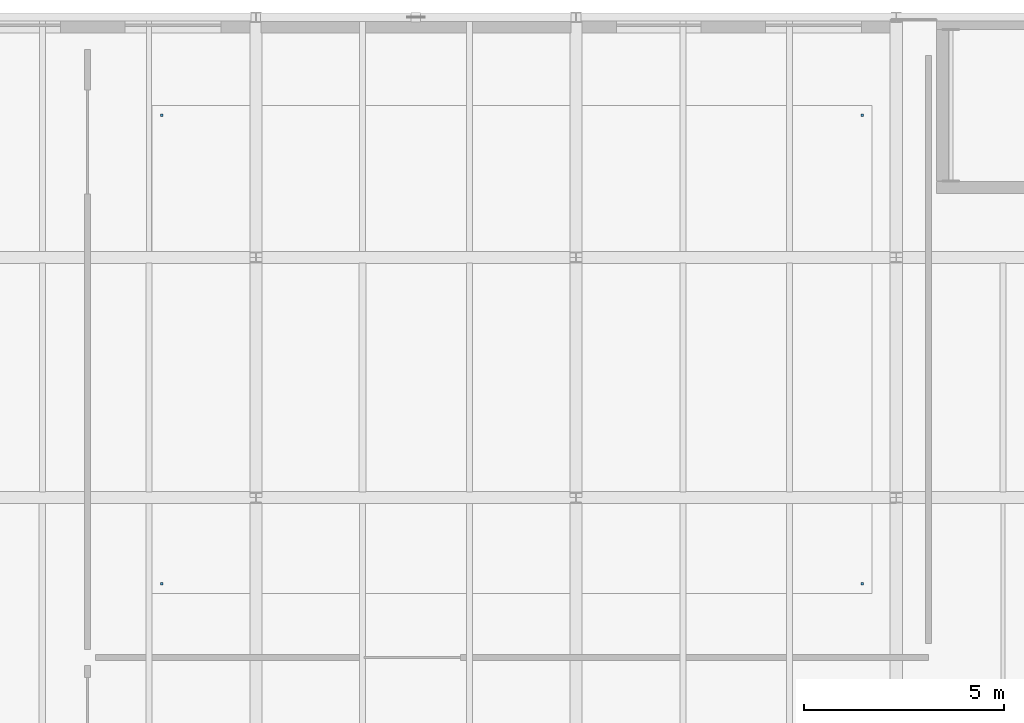
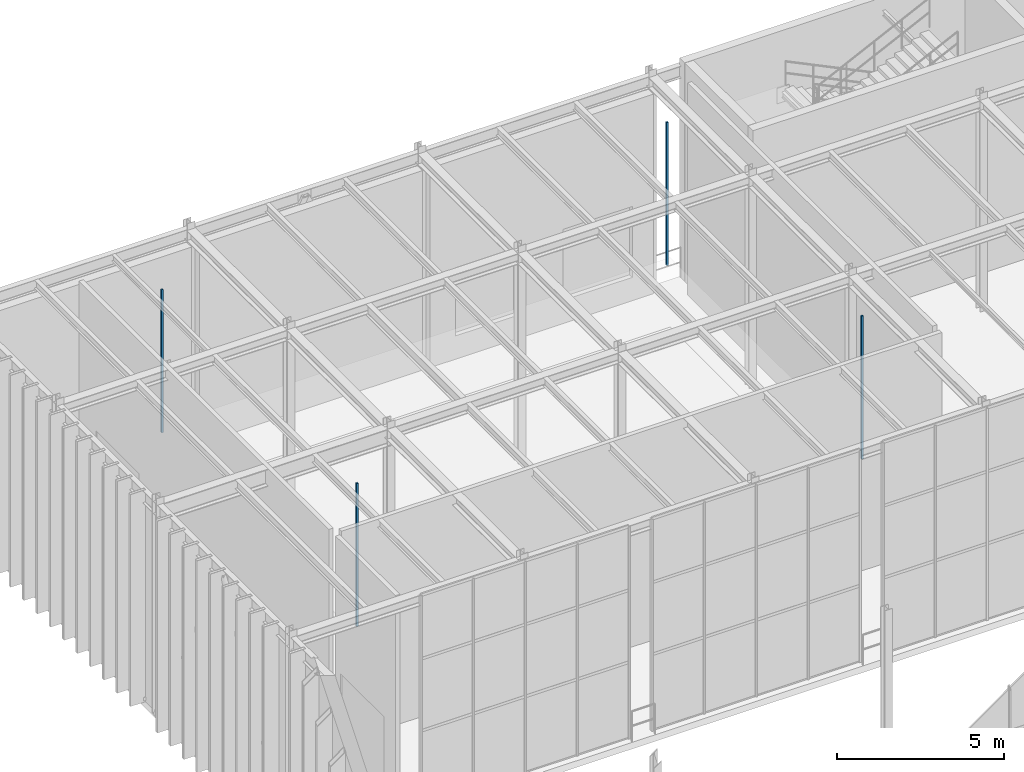
# One storey, part 106 of 138: 4 discrete accessories.
"""IFC4 building model written with IfcOpenShell, lengths in metres."""

import ifcopenshell
import ifcopenshell.guid

model = None  # the IFC model being written
_history = None  # IfcOwnerHistory: only IFC2X3 demands one
_inside = {}  # id of a spatial element -> (the spatial element, [elements in it])
_under = {}  # id of a project, library or spatial element -> (it, [spatial elements below it])
_declared = {}  # id of a project -> (the project, [libraries it declares])
_typed = {}  # id of a type object -> (the type object, [elements of that type])
_made_of = {}  # id of a material, layer set ... -> (it, [elements and type objects made of it])


def new_model(schema):
    """Start an empty IFC model of exactly this schema.

    Asked for "IFC4X3", IfcOpenShell would pick the latest addendum, in which some entities
    have other attributes; the version numbers below select the first issue.
    IFC2X3 requires an IfcOwnerHistory on every rooted entity: one is made here for all.
    """
    global model, _history
    if schema == "IFC4X3":
        model = ifcopenshell.file(schema_version=(4, 3, 0, 0))
    else:
        model = ifcopenshell.file(schema=schema)
    _inside.clear()
    _under.clear()
    _declared.clear()
    _typed.clear()
    _made_of.clear()
    _history = None
    if model.schema == "IFC2X3":
        org = make("IfcOrganization", Name="unknown")
        user = make(
            "IfcPersonAndOrganization",
            ThePerson=make("IfcPerson", FamilyName="unknown"),
            TheOrganization=org,
        )
        app = make(
            "IfcApplication",
            ApplicationDeveloper=org,
            Version="unknown",
            ApplicationFullName="unknown",
            ApplicationIdentifier="unknown",
        )
        _history = make(
            "IfcOwnerHistory",
            OwningUser=user,
            OwningApplication=app,
            ChangeAction="ADDED",
            CreationDate=0,
        )
    return model


def make(cls, **values):
    """One entity of the class cls with the attributes given. An attribute that is None is left unset."""
    return model.create_entity(
        cls, **{name: value for name, value in values.items() if value is not None}
    )


def rooted(cls, **values):
    """An entity with a GlobalId (a new one), such as an element, a storey or a relation."""
    return make(cls, GlobalId=ifcopenshell.guid.new(), OwnerHistory=_history, **values)


def si_unit(unit_type, name, prefix=None):
    """IfcSIUnit, for example si_unit("LENGTHUNIT", "METRE", prefix="MILLI")."""
    return make("IfcSIUnit", UnitType=unit_type, Prefix=prefix, Name=name)


def assignment(units):
    """IfcUnitAssignment: the units of a project."""
    return None if units is None else make("IfcUnitAssignment", Units=units)


def point(xyz):
    """IfcCartesianPoint."""
    return None if xyz is None else make("IfcCartesianPoint", Coordinates=xyz)


def direction(xyz):
    """IfcDirection."""
    return None if xyz is None else make("IfcDirection", DirectionRatios=xyz)


def frame(location, z_axis=None, x_axis=None):
    """IfcAxis2Placement3D, a coordinate frame: its origin and axes. An axis left out is left unset."""
    return make(
        "IfcAxis2Placement3D",
        Location=point(location),
        Axis=direction(z_axis),
        RefDirection=direction(x_axis),
    )


def frame_2d(location, x_axis=None):
    """IfcAxis2Placement2D, a coordinate frame in the plane: its origin and x axis."""
    return make(
        "IfcAxis2Placement2D", Location=point(location), RefDirection=direction(x_axis)
    )


def origin():
    """The frame at (0, 0, 0) with its axes left unset."""
    return frame((0.0, 0.0, 0.0))


def origin_2d():
    """The frame at (0, 0) in the plane with its x axis left unset."""
    return frame_2d((0.0, 0.0))


def place(relative_to, where):
    """IfcLocalPlacement: puts the frame where relative to a parent placement (None: the world)."""
    return make(
        "IfcLocalPlacement", PlacementRelTo=relative_to, RelativePlacement=where
    )


def context(
    kind, dimensions, precision=None, world=None, true_north=None, identifier=None
):
    """IfcGeometricRepresentationContext, for example the 3D "Model" context."""
    return make(
        "IfcGeometricRepresentationContext",
        ContextIdentifier=identifier,
        ContextType=kind,
        CoordinateSpaceDimension=dimensions,
        Precision=precision,
        WorldCoordinateSystem=world,
        TrueNorth=true_north,
    )


def subcontext(parent, identifier, kind, view, scale=None):
    """IfcGeometricRepresentationSubContext, for example "Body" below "Model"."""
    return make(
        "IfcGeometricRepresentationSubContext",
        ContextIdentifier=identifier,
        ContextType=kind,
        ParentContext=parent,
        TargetScale=scale,
        TargetView=view,
    )


def project(units=None, contexts=None):
    """IfcProject with its units and contexts."""
    return rooted(
        "IfcProject",
        Name="project",
        RepresentationContexts=contexts,
        UnitsInContext=assignment(units),
    )


def spatial(cls, under=None, at=None, **own):
    """A site, building, storey or space (cls), placed at a placement, below another one or the project."""
    s = rooted(cls, ObjectPlacement=at, **own)
    if under is not None:
        _under.setdefault(under.id(), (under, []))[1].append(s)
    return s


def profile(cls, at=None, kind="AREA", **sizes):
    """A parametric profile (cls). Its sizes go by their IFC names, for example OverallWidth=200.0."""
    return make(cls, ProfileType=kind, Position=at, **sizes)


def rectangle(**sizes):
    """IfcRectangleProfileDef."""
    return profile("IfcRectangleProfileDef", **sizes)


def extrude(swept, where, along, depth):
    """IfcExtrudedAreaSolid: the profile swept, set in the frame where, extruded along a direction by depth."""
    return make(
        "IfcExtrudedAreaSolid",
        SweptArea=swept,
        Position=where,
        ExtrudedDirection=direction(along),
        Depth=depth,
    )


def shape(context_of_items, identifier, shape_type, items):
    """IfcShapeRepresentation: the items that make up one representation, for example the "Body"."""
    return make(
        "IfcShapeRepresentation",
        ContextOfItems=context_of_items,
        RepresentationIdentifier=identifier,
        RepresentationType=shape_type,
        Items=items,
    )


def material(Name=None, Category=None):
    """IfcMaterial."""
    return make("IfcMaterial", Name=Name, Category=Category)


def made_of(thing, what):
    """Note that an element or type object is made of a material, layer set ...; save() writes the relation."""
    if what is not None:
        _made_of.setdefault(what.id(), (what, []))[1].append(thing)
    return thing


def type_object(cls, material=None, **own):
    """A type object (cls), such as IfcWallType, which elements share."""
    return made_of(rooted(cls, **own), material)


def element(
    cls,
    number,
    at=None,
    inside=None,
    cuts=None,
    type_object=None,
    material=None,
    context=None,
    identifier="Body",
    shape_type=None,
    held_by="IfcProductDefinitionShape",
    body=None,
    shapes=None,
    **own,
):
    """One element of the class cls, such as IfcWall. Its Tag is "e" and its number.

    at: its placement. inside: the storey or other place that contains it. cuts: it is an
    opening in that element (IfcRelVoidsElement). A single representation is given by context,
    identifier, shape_type and body (its items); several are given by shapes. held_by: the class
    of the entity that holds the representations. save() writes the other relations.
    """
    e = rooted(cls, Tag="e%d" % number, ObjectPlacement=at, **own)
    if body is not None:
        shapes = [shape(context, identifier, shape_type, body)]
    if shapes is not None:
        e.Representation = make(held_by, Representations=shapes)
    if inside is not None:
        _inside.setdefault(inside.id(), (inside, []))[1].append(e)
    if cuts is not None:
        rooted(
            "IfcRelVoidsElement", RelatingBuildingElement=cuts, RelatedOpeningElement=e
        )
    if type_object is not None:
        _typed.setdefault(type_object.id(), (type_object, []))[1].append(e)
    return made_of(e, material)


def aggregate(whole, parts):
    """IfcRelAggregates: a whole, such as a stair, and the parts it consists of."""
    return rooted("IfcRelAggregates", RelatingObject=whole, RelatedObjects=parts)


def save(model, path):
    """Write the relations noted so far, then the file.

    IfcRelAggregates (storeys below a building ...), IfcRelContainedInSpatialStructure (elements
    in a storey), IfcRelDefinesByType, IfcRelAssociatesMaterial and IfcRelDeclares: one each for
    every whole, place, type object, material and project.
    """
    for whole, parts in _under.values():
        aggregate(whole, parts)
    for where, things in _inside.values():
        rooted(
            "IfcRelContainedInSpatialStructure",
            RelatedElements=things,
            RelatingStructure=where,
        )
    for kind, things in _typed.values():
        rooted("IfcRelDefinesByType", RelatedObjects=things, RelatingType=kind)
    for what, things in _made_of.values():
        rooted("IfcRelAssociatesMaterial", RelatedObjects=things, RelatingMaterial=what)
    for by, libraries in _declared.values():
        rooted("IfcRelDeclares", RelatingContext=by, RelatedDefinitions=libraries)
    model.write(path)


model = new_model("IFC4")

# Units and contexts
model_context = context("Model", 3, precision=1e-05, world=origin(), true_north=direction((0.0, 1.0)))
body_context = subcontext(model_context, "Body", "Model", "MODEL_VIEW")
ifc_project = project(units=[si_unit("LENGTHUNIT", "METRE"), si_unit("AREAUNIT", "SQUARE_METRE"), si_unit("VOLUMEUNIT", "CUBIC_METRE"), si_unit("PLANEANGLEUNIT", "RADIAN"), si_unit("MASSUNIT", "GRAM", prefix="KILO")], contexts=[model_context])

# Site, building, storey
site_placement = place(None, origin())
site = spatial("IfcSite", under=ifc_project, at=site_placement, CompositionType="ELEMENT")
building_placement = place(site_placement, origin())
building = spatial("IfcBuilding", under=site, at=building_placement, Name="Sundkrona Museum", CompositionType="ELEMENT")
storey_placement = place(building_placement, frame((0.0, 0.0, 9.60009765625)))
storey = spatial("IfcBuildingStorey", under=building, at=storey_placement, Name="L02", CompositionType="ELEMENT", Elevation=9.60009765625)

# Discrete accessories
ifc_material = material(Name="Stainless Steel EN 1.4404 Cleat", Category="steel")
discrete_accessory_type = type_object("IfcDiscreteAccessoryType", Name="BRK-FIN-01", PredefinedType="BRACKET", material=ifc_material)
for number, where, z_axis, x_axis, name in (
    (1, (21.64990234375, 99.85009765625, 2.5498046875), (0.0, 0.0, 1.0), (1.0, 0.0, 0.0), "L02 Modernist Sculpture Gallery Ceiling Hanger 1"),
    (2, (39.14990234375, 99.85009765625, 2.5498046875), (0.0, 0.0, 1.0), (1.0, 0.0, 0.0), "L02 Modernist Sculpture Gallery Ceiling Hanger 2"),
    (3, (39.14990234375, 111.550048828125, 2.5498046875), (0.0, 0.0, 1.0), (1.0, 0.0, 0.0), "L02 Modernist Sculpture Gallery Ceiling Hanger 3"),
    (4, (21.64990234375, 111.550048828125, 2.5498046875), (0.0, 0.0, 1.0), (1.0, 0.0, 0.0), "L02 Modernist Sculpture Gallery Ceiling Hanger 4"),
):
    element("IfcDiscreteAccessory", number, at=place(storey_placement, frame(where, z_axis=z_axis, x_axis=x_axis)), inside=storey, type_object=discrete_accessory_type, Name=name, PredefinedType="BRACKET", context=body_context, shape_type="SweptSolid", body=[
        extrude(rectangle(XDim=0.06005859375, YDim=0.06005859375, at=origin_2d()), origin(), (0.0, 0.0, 1.0), 5.239990234375),
    ])

save(model, "model.ifc")
